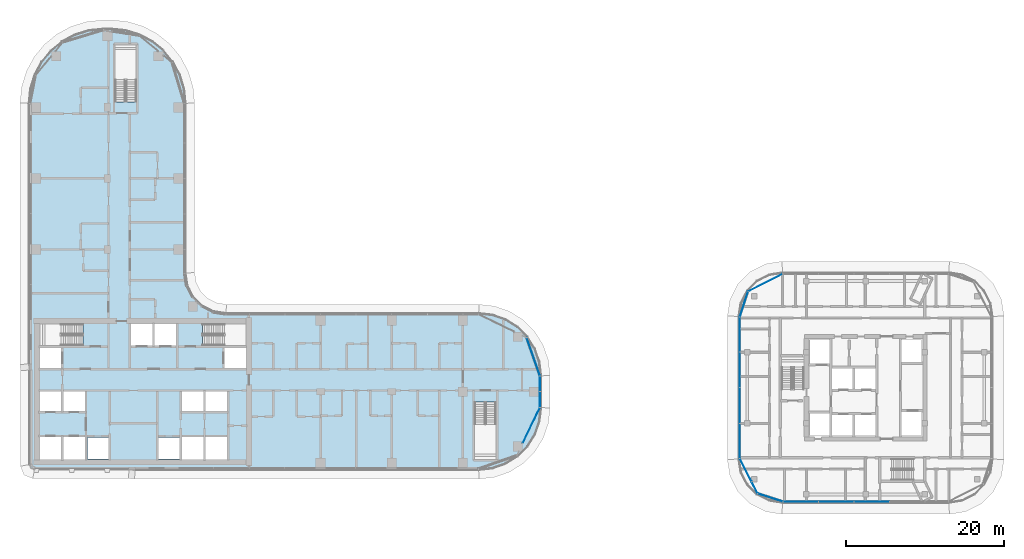
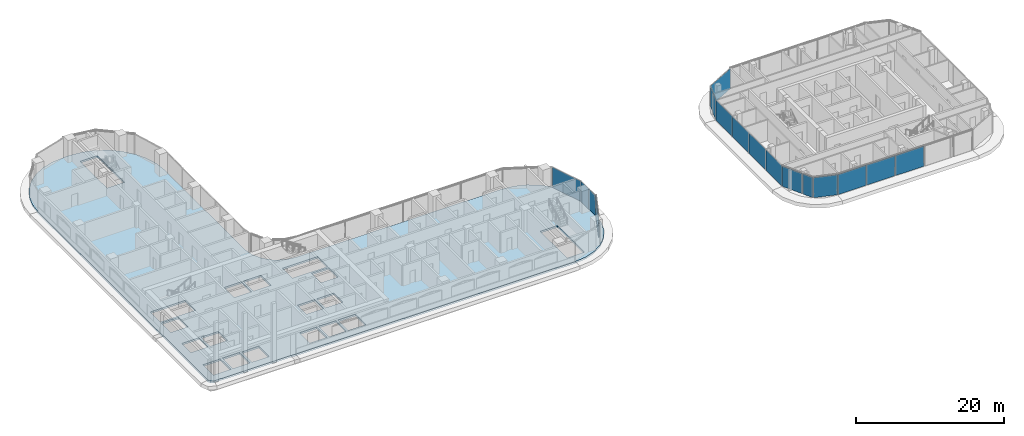
# One storey, part 18 of 40: 16 plates, 1 slab, 8 elements without a shape of their own.
"""IFC4 building model written with IfcOpenShell, lengths in metres."""

import ifcopenshell
import ifcopenshell.guid

model = None  # the IFC model being written
_history = None  # IfcOwnerHistory: only IFC2X3 demands one
_inside = {}  # id of a spatial element -> (the spatial element, [elements in it])
_under = {}  # id of a project, library or spatial element -> (it, [spatial elements below it])
_declared = {}  # id of a project -> (the project, [libraries it declares])
_typed = {}  # id of a type object -> (the type object, [elements of that type])
_made_of = {}  # id of a material, layer set ... -> (it, [elements and type objects made of it])


def new_model(schema):
    """Start an empty IFC model of exactly this schema.

    Asked for "IFC4X3", IfcOpenShell would pick the latest addendum, in which some entities
    have other attributes; the version numbers below select the first issue.
    IFC2X3 requires an IfcOwnerHistory on every rooted entity: one is made here for all.
    """
    global model, _history
    if schema == "IFC4X3":
        model = ifcopenshell.file(schema_version=(4, 3, 0, 0))
    else:
        model = ifcopenshell.file(schema=schema)
    _inside.clear()
    _under.clear()
    _declared.clear()
    _typed.clear()
    _made_of.clear()
    _history = None
    if model.schema == "IFC2X3":
        org = make("IfcOrganization", Name="unknown")
        user = make(
            "IfcPersonAndOrganization",
            ThePerson=make("IfcPerson", FamilyName="unknown"),
            TheOrganization=org,
        )
        app = make(
            "IfcApplication",
            ApplicationDeveloper=org,
            Version="unknown",
            ApplicationFullName="unknown",
            ApplicationIdentifier="unknown",
        )
        _history = make(
            "IfcOwnerHistory",
            OwningUser=user,
            OwningApplication=app,
            ChangeAction="ADDED",
            CreationDate=0,
        )
    return model


def make(cls, **values):
    """One entity of the class cls with the attributes given. An attribute that is None is left unset."""
    return model.create_entity(
        cls, **{name: value for name, value in values.items() if value is not None}
    )


def rooted(cls, **values):
    """An entity with a GlobalId (a new one), such as an element, a storey or a relation."""
    return make(cls, GlobalId=ifcopenshell.guid.new(), OwnerHistory=_history, **values)


def si_unit(unit_type, name, prefix=None):
    """IfcSIUnit, for example si_unit("LENGTHUNIT", "METRE", prefix="MILLI")."""
    return make("IfcSIUnit", UnitType=unit_type, Prefix=prefix, Name=name)


def assignment(units):
    """IfcUnitAssignment: the units of a project."""
    return None if units is None else make("IfcUnitAssignment", Units=units)


def point(xyz):
    """IfcCartesianPoint."""
    return None if xyz is None else make("IfcCartesianPoint", Coordinates=xyz)


def direction(xyz):
    """IfcDirection."""
    return None if xyz is None else make("IfcDirection", DirectionRatios=xyz)


def frame(location, z_axis=None, x_axis=None):
    """IfcAxis2Placement3D, a coordinate frame: its origin and axes. An axis left out is left unset."""
    return make(
        "IfcAxis2Placement3D",
        Location=point(location),
        Axis=direction(z_axis),
        RefDirection=direction(x_axis),
    )


def frame_2d(location, x_axis=None):
    """IfcAxis2Placement2D, a coordinate frame in the plane: its origin and x axis."""
    return make(
        "IfcAxis2Placement2D", Location=point(location), RefDirection=direction(x_axis)
    )


def origin():
    """The frame at (0, 0, 0) with its axes left unset."""
    return frame((0.0, 0.0, 0.0))


def origin_2d():
    """The frame at (0, 0) in the plane with its x axis left unset."""
    return frame_2d((0.0, 0.0))


def place(relative_to, where):
    """IfcLocalPlacement: puts the frame where relative to a parent placement (None: the world)."""
    return make(
        "IfcLocalPlacement", PlacementRelTo=relative_to, RelativePlacement=where
    )


def context(
    kind, dimensions, precision=None, world=None, true_north=None, identifier=None
):
    """IfcGeometricRepresentationContext, for example the 3D "Model" context."""
    return make(
        "IfcGeometricRepresentationContext",
        ContextIdentifier=identifier,
        ContextType=kind,
        CoordinateSpaceDimension=dimensions,
        Precision=precision,
        WorldCoordinateSystem=world,
        TrueNorth=true_north,
    )


def subcontext(parent, identifier, kind, view, scale=None):
    """IfcGeometricRepresentationSubContext, for example "Body" below "Model"."""
    return make(
        "IfcGeometricRepresentationSubContext",
        ContextIdentifier=identifier,
        ContextType=kind,
        ParentContext=parent,
        TargetScale=scale,
        TargetView=view,
    )


def project(units=None, contexts=None):
    """IfcProject with its units and contexts."""
    return rooted(
        "IfcProject",
        Name="project",
        RepresentationContexts=contexts,
        UnitsInContext=assignment(units),
    )


def spatial(cls, under=None, at=None, **own):
    """A site, building, storey or space (cls), placed at a placement, below another one or the project."""
    s = rooted(cls, ObjectPlacement=at, **own)
    if under is not None:
        _under.setdefault(under.id(), (under, []))[1].append(s)
    return s


def polyline(points):
    """IfcPolyline through the points."""
    return make("IfcPolyline", Points=[point(p) for p in points])


def profile(cls, at=None, kind="AREA", **sizes):
    """A parametric profile (cls). Its sizes go by their IFC names, for example OverallWidth=200.0."""
    return make(cls, ProfileType=kind, Position=at, **sizes)


def rectangle(**sizes):
    """IfcRectangleProfileDef."""
    return profile("IfcRectangleProfileDef", **sizes)


def outline(outer, holes=None, kind="AREA"):
    """IfcArbitraryClosedProfileDef: a profile drawn as a closed curve; with holes, ...WithVoids."""
    if holes is None:
        return make("IfcArbitraryClosedProfileDef", ProfileType=kind, OuterCurve=outer)
    return make(
        "IfcArbitraryProfileDefWithVoids",
        ProfileType=kind,
        OuterCurve=outer,
        InnerCurves=holes,
    )


def extrude(swept, where, along, depth):
    """IfcExtrudedAreaSolid: the profile swept, set in the frame where, extruded along a direction by depth."""
    return make(
        "IfcExtrudedAreaSolid",
        SweptArea=swept,
        Position=where,
        ExtrudedDirection=direction(along),
        Depth=depth,
    )


def shape(context_of_items, identifier, shape_type, items):
    """IfcShapeRepresentation: the items that make up one representation, for example the "Body"."""
    return make(
        "IfcShapeRepresentation",
        ContextOfItems=context_of_items,
        RepresentationIdentifier=identifier,
        RepresentationType=shape_type,
        Items=items,
    )


def material(Name=None, Category=None):
    """IfcMaterial."""
    return make("IfcMaterial", Name=Name, Category=Category)


def layer(
    of_material, thickness, ventilated=None, Name=None, Category=None, Priority=None
):
    """IfcMaterialLayer: one layer of a wall or slab, of a material (None: an air gap)."""
    return make(
        "IfcMaterialLayer",
        Material=of_material,
        LayerThickness=thickness,
        IsVentilated=ventilated,
        Name=Name,
        Category=Category,
        Priority=Priority,
    )


def layer_set(layers, Name=None):
    """IfcMaterialLayerSet."""
    return make("IfcMaterialLayerSet", MaterialLayers=layers, LayerSetName=Name)


def made_of(thing, what):
    """Note that an element or type object is made of a material, layer set ...; save() writes the relation."""
    if what is not None:
        _made_of.setdefault(what.id(), (what, []))[1].append(thing)
    return thing


def type_object(cls, material=None, **own):
    """A type object (cls), such as IfcWallType, which elements share."""
    return made_of(rooted(cls, **own), material)


def element(
    cls,
    number,
    at=None,
    inside=None,
    cuts=None,
    type_object=None,
    material=None,
    context=None,
    identifier="Body",
    shape_type=None,
    held_by="IfcProductDefinitionShape",
    body=None,
    shapes=None,
    **own,
):
    """One element of the class cls, such as IfcWall. Its Tag is "e" and its number.

    at: its placement. inside: the storey or other place that contains it. cuts: it is an
    opening in that element (IfcRelVoidsElement). A single representation is given by context,
    identifier, shape_type and body (its items); several are given by shapes. held_by: the class
    of the entity that holds the representations. save() writes the other relations.
    """
    e = rooted(cls, Tag="e%d" % number, ObjectPlacement=at, **own)
    if body is not None:
        shapes = [shape(context, identifier, shape_type, body)]
    if shapes is not None:
        e.Representation = make(held_by, Representations=shapes)
    if inside is not None:
        _inside.setdefault(inside.id(), (inside, []))[1].append(e)
    if cuts is not None:
        rooted(
            "IfcRelVoidsElement", RelatingBuildingElement=cuts, RelatedOpeningElement=e
        )
    if type_object is not None:
        _typed.setdefault(type_object.id(), (type_object, []))[1].append(e)
    return made_of(e, material)


def aggregate(whole, parts):
    """IfcRelAggregates: a whole, such as a stair, and the parts it consists of."""
    return rooted("IfcRelAggregates", RelatingObject=whole, RelatedObjects=parts)


def save(model, path):
    """Write the relations noted so far, then the file.

    IfcRelAggregates (storeys below a building ...), IfcRelContainedInSpatialStructure (elements
    in a storey), IfcRelDefinesByType, IfcRelAssociatesMaterial and IfcRelDeclares: one each for
    every whole, place, type object, material and project.
    """
    for whole, parts in _under.values():
        aggregate(whole, parts)
    for where, things in _inside.values():
        rooted(
            "IfcRelContainedInSpatialStructure",
            RelatedElements=things,
            RelatingStructure=where,
        )
    for kind, things in _typed.values():
        rooted("IfcRelDefinesByType", RelatedObjects=things, RelatingType=kind)
    for what, things in _made_of.values():
        rooted("IfcRelAssociatesMaterial", RelatedObjects=things, RelatingMaterial=what)
    for by, libraries in _declared.values():
        rooted("IfcRelDeclares", RelatingContext=by, RelatedDefinitions=libraries)
    model.write(path)


model = new_model("IFC4")

# Units and contexts
model_context = context("Model", 3, precision=1e-05, world=origin(), true_north=direction((0.0, 1.0)))
body_context = subcontext(model_context, "Body", "Model", "MODEL_VIEW")
ifc_project = project(units=[si_unit("LENGTHUNIT", "METRE"), si_unit("AREAUNIT", "SQUARE_METRE"), si_unit("VOLUMEUNIT", "CUBIC_METRE"), si_unit("PLANEANGLEUNIT", "RADIAN"), si_unit("MASSUNIT", "GRAM", prefix="KILO")], contexts=[model_context])

# Site, building, storey
site_placement = place(None, origin())
site = spatial("IfcSite", under=ifc_project, at=site_placement, CompositionType="ELEMENT")
building_placement = place(site_placement, origin())
building = spatial("IfcBuilding", under=site, at=building_placement, Name="Ogive Portal Towers", CompositionType="ELEMENT")
storey_placement = place(building_placement, frame((0.0, 0.0, 87.10009765625)))
storey = spatial("IfcBuildingStorey", under=building, at=storey_placement, Name="L20", CompositionType="ELEMENT", Elevation=87.10009765625)

# Curtain wall, plates
ifc_material_1 = material(Name="Glass, clear low-iron insulated glazing", Category="glass")
curtain_wall_type_1 = type_object("IfcCurtainWallType", Name="CW FRONT RIBBON 4500", PredefinedType="NOTDEFINED", material=ifc_material_1)
curtain_wall_1_placement = place(storey_placement, origin())
curtain_wall_1 = element("IfcCurtainWall", 1, at=curtain_wall_1_placement, inside=storey, type_object=curtain_wall_type_1, Name="A:L20:f08:cw0", PredefinedType="NOTDEFINED")
ifc_layer_1 = layer(ifc_material_1, 0.028076171875)
ifc_layer_set_1 = layer_set([ifc_layer_1], Name="CW PANEL IGU 28")
plate_type = type_object("IfcPlateType", Name="CW PANEL IGU 28", PredefinedType="CURTAIN_PANEL", material=ifc_layer_set_1)
plate_1_placement = place(storey_placement, frame((95.27490234375, 29.509033203125, 0.0), z_axis=(0.0, 0.0, 1.0), x_axis=(0.0, 1.0, 0.0)))
plate_1 = element("IfcPlate", 2, at=plate_1_placement, type_object=plate_type, Name="panel", PredefinedType="CURTAIN_PANEL", context=body_context, shape_type="SweptSolid", body=[
    extrude(rectangle(XDim=1.921630859375, YDim=0.028076171875, at=origin_2d()), origin(), (0.0, 0.0, 1.0), 3.340087890625),
])
plate_2_placement = place(storey_placement, frame((95.27490234375, 31.4931640625, 0.0), z_axis=(0.0, 0.0, 1.0), x_axis=(0.0, 1.0, 0.0)))
plate_2 = element("IfcPlate", 3, at=plate_2_placement, type_object=plate_type, Name="panel", PredefinedType="CURTAIN_PANEL", context=body_context, shape_type="SweptSolid", body=[
    extrude(rectangle(XDim=1.926513671875, YDim=0.028076171875, at=origin_2d()), origin(), (0.0, 0.0, 1.0), 3.340087890625),
])
aggregate(curtain_wall_1, [plate_1, plate_2])

# Curtain wall, plate
curtain_wall_2_placement = place(storey_placement, origin())
curtain_wall_2 = element("IfcCurtainWall", 4, at=curtain_wall_2_placement, inside=storey, type_object=curtain_wall_type_1, Name="A:L20:f06:cwa~1", PredefinedType="NOTDEFINED")
plate_3_placement = place(storey_placement, frame((94.175048828125, 26.234130859375, 0.0), z_axis=(0.0, 0.0, 1.0), x_axis=(0.433883739113, 0.900968867905, 0.0)))
plate_3 = element("IfcPlate", 5, at=plate_3_placement, type_object=plate_type, Name="panel", PredefinedType="CURTAIN_PANEL", context=body_context, shape_type="SweptSolid", body=[
    extrude(rectangle(XDim=5.010498046875, YDim=0.028076171875, at=origin_2d()), origin(), (0.0, 0.0, 1.0), 3.340087890625),
])
aggregate(curtain_wall_2, [plate_3])

curtain_wall_3_placement = place(storey_placement, origin())
curtain_wall_3 = element("IfcCurtainWall", 6, at=curtain_wall_3_placement, inside=storey, type_object=curtain_wall_type_1, Name="A:L20:f09:cwa~0", PredefinedType="NOTDEFINED")
plate_4_placement = place(storey_placement, frame((94.42578125, 34.9130859375, 0.0), z_axis=(0.0, 0.0, 1.0), x_axis=(-0.33027906196, 0.943883330307, 0.0)))
plate_4 = element("IfcPlate", 7, at=plate_4_placement, type_object=plate_type, Name="panel", PredefinedType="CURTAIN_PANEL", context=body_context, shape_type="SweptSolid", body=[
    extrude(rectangle(XDim=5.08203125, YDim=0.028076171875, at=origin_2d()), origin(), (0.0, 0.0, 1.0), 3.340087890625),
])
aggregate(curtain_wall_3, [plate_4])

# Curtain wall, plates
curtain_wall_type_2 = type_object("IfcCurtainWallType", Name="CW RESIDENCES RIBBON", PredefinedType="NOTDEFINED", material=ifc_material_1)
curtain_wall_4_placement = place(storey_placement, origin())
curtain_wall_4 = element("IfcCurtainWall", 8, at=curtain_wall_4_placement, inside=storey, type_object=curtain_wall_type_2, Name="B:L20:f02:cw0", PredefinedType="NOTDEFINED")
plate_5_placement = place(storey_placement, frame((128.25634765625, 16.570068359375, 0.0), z_axis=(0.0, 0.0, 1.0), x_axis=(1.0, 0.0, 0.0)))
plate_5 = element("IfcPlate", 9, at=plate_5_placement, type_object=plate_type, Name="panel", PredefinedType="CURTAIN_PANEL", context=body_context, shape_type="SweptSolid", body=[
    extrude(rectangle(XDim=4.42724609375, YDim=0.028076171875, at=origin_2d()), origin(), (0.0, 0.0, 1.0), 3.340087890625),
])
plate_6_placement = place(storey_placement, frame((132.75, 16.570068359375, 0.0), z_axis=(0.0, 0.0, 1.0), x_axis=(1.0, 0.0, 0.0)))
plate_6 = element("IfcPlate", 10, at=plate_6_placement, type_object=plate_type, Name="panel", PredefinedType="CURTAIN_PANEL", context=body_context, shape_type="SweptSolid", body=[
    extrude(rectangle(XDim=4.43994140625, YDim=0.028076171875, at=origin_2d()), origin(), (0.0, 0.0, 1.0), 3.340087890625),
])
plate_7_placement = place(storey_placement, frame((137.25, 16.570068359375, 0.0), z_axis=(0.0, 0.0, 1.0), x_axis=(1.0, 0.0, 0.0)))
plate_7 = element("IfcPlate", 11, at=plate_7_placement, type_object=plate_type, Name="panel", PredefinedType="CURTAIN_PANEL", context=body_context, shape_type="SweptSolid", body=[
    extrude(rectangle(XDim=4.43994140625, YDim=0.028076171875, at=origin_2d()), origin(), (0.0, 0.0, 1.0), 3.340087890625),
])
aggregate(curtain_wall_4, [plate_5, plate_6, plate_7])

curtain_wall_5_placement = place(storey_placement, origin())
curtain_wall_5 = element("IfcCurtainWall", 12, at=curtain_wall_5_placement, inside=storey, type_object=curtain_wall_type_2, Name="B:L20:f11:cw0", PredefinedType="NOTDEFINED")
plate_8_placement = place(storey_placement, frame((120.570068359375, 37.74365234375, 0.0), z_axis=(0.0, 0.0, 1.0), x_axis=(0.0, -1.0, 0.0)))
plate_8 = element("IfcPlate", 13, at=plate_8_placement, type_object=plate_type, Name="panel", PredefinedType="CURTAIN_PANEL", context=body_context, shape_type="SweptSolid", body=[
    extrude(rectangle(XDim=4.42724609375, YDim=0.028076171875, at=origin_2d()), origin(), (0.0, 0.0, 1.0), 3.340087890625),
])
plate_9_placement = place(storey_placement, frame((120.570068359375, 33.25, 0.0), z_axis=(0.0, 0.0, 1.0), x_axis=(0.0, -1.0, 0.0)))
plate_9 = element("IfcPlate", 14, at=plate_9_placement, type_object=plate_type, Name="panel", PredefinedType="CURTAIN_PANEL", context=body_context, shape_type="SweptSolid", body=[
    extrude(rectangle(XDim=4.43994140625, YDim=0.028076171875, at=origin_2d()), origin(), (0.0, 0.0, 1.0), 3.340087890625),
])
plate_10_placement = place(storey_placement, frame((120.570068359375, 28.75, 0.0), z_axis=(0.0, 0.0, 1.0), x_axis=(0.0, -1.0, 0.0)))
plate_10 = element("IfcPlate", 15, at=plate_10_placement, type_object=plate_type, Name="panel", PredefinedType="CURTAIN_PANEL", context=body_context, shape_type="SweptSolid", body=[
    extrude(rectangle(XDim=4.43994140625, YDim=0.028076171875, at=origin_2d()), origin(), (0.0, 0.0, 1.0), 3.340087890625),
])
plate_11_placement = place(storey_placement, frame((120.570068359375, 24.259521484375, 0.0), z_axis=(0.0, 0.0, 1.0), x_axis=(0.0, -1.0, 0.0)))
plate_11 = element("IfcPlate", 16, at=plate_11_placement, type_object=plate_type, Name="panel", PredefinedType="CURTAIN_PANEL", context=body_context, shape_type="SweptSolid", body=[
    extrude(rectangle(XDim=4.4208984375, YDim=0.028076171875, at=origin_2d()), origin(), (0.0, 0.0, 1.0), 3.340087890625),
])
aggregate(curtain_wall_5, [plate_8, plate_9, plate_10, plate_11])

# Curtain wall, plate
curtain_wall_6_placement = place(storey_placement, origin())
curtain_wall_6 = element("IfcCurtainWall", 17, at=curtain_wall_6_placement, inside=storey, type_object=curtain_wall_type_2, Name="B:L20:f00:cwa~0", PredefinedType="NOTDEFINED")
plate_12_placement = place(storey_placement, frame((121.310546875, 20.56591796875, 0.0), z_axis=(0.0, 0.0, 1.0), x_axis=(0.45399049974, -0.891006524188, 0.0)))
plate_12 = element("IfcPlate", 18, at=plate_12_placement, type_object=plate_type, Name="panel", PredefinedType="CURTAIN_PANEL", context=body_context, shape_type="SweptSolid", body=[
    extrude(rectangle(XDim=3.2021484375, YDim=0.028076171875, at=origin_2d()), origin(), (0.0, 0.0, 1.0), 3.340087890625),
])
aggregate(curtain_wall_6, [plate_12])

# Curtain wall, plates
curtain_wall_7_placement = place(storey_placement, origin())
curtain_wall_7 = element("IfcCurtainWall", 19, at=curtain_wall_7_placement, inside=storey, type_object=curtain_wall_type_2, Name="B:L20:f00:cwa~1", PredefinedType="NOTDEFINED")
plate_13_placement = place(storey_placement, frame((122.439453125, 18.35009765625, 0.0), z_axis=(0.0, 0.0, 1.0), x_axis=(0.45399049974, -0.891006524188, 0.0)))
plate_13 = element("IfcPlate", 20, at=plate_13_placement, type_object=plate_type, Name="panel", PredefinedType="CURTAIN_PANEL", context=body_context, shape_type="SweptSolid", body=[
    extrude(rectangle(XDim=1.60546875, YDim=0.028076171875, at=origin_2d()), origin(), (0.0, 0.0, 1.0), 3.340087890625),
])
plate_14_placement = place(storey_placement, frame((124.4150390625, 17.089111328125, 0.0), z_axis=(0.0, 0.0, 1.0), x_axis=(0.951056516295, -0.309016994375, 0.0)))
plate_14 = element("IfcPlate", 21, at=plate_14_placement, type_object=plate_type, Name="panel", PredefinedType="CURTAIN_PANEL", context=body_context, shape_type="SweptSolid", body=[
    extrude(rectangle(XDim=3.299560546875, YDim=0.028076171875, at=origin_2d()), origin(), (0.0, 0.0, 1.0), 3.340087890625),
])
aggregate(curtain_wall_7, [plate_13, plate_14])

curtain_wall_8_placement = place(storey_placement, origin())
curtain_wall_8 = element("IfcCurtainWall", 22, at=curtain_wall_8_placement, inside=storey, type_object=curtain_wall_type_2, Name="B:L20:f09:cwa", PredefinedType="NOTDEFINED")
plate_15_placement = place(storey_placement, frame((123.813720703125, 44.30615234375, 0.0), z_axis=(0.0, 0.0, 1.0), x_axis=(-0.891006524188, -0.45399049974, 0.0)))
plate_15 = element("IfcPlate", 23, at=plate_15_placement, type_object=plate_type, Name="panel", PredefinedType="CURTAIN_PANEL", context=body_context, shape_type="SweptSolid", body=[
    extrude(rectangle(XDim=4.890625, YDim=0.028076171875, at=origin_2d()), origin(), (0.0, 0.0, 1.0), 3.340087890625),
])
plate_16_placement = place(storey_placement, frame((121.089111328125, 41.5849609375, 0.0), z_axis=(0.0, 0.0, 1.0), x_axis=(-0.309016994375, -0.951056516295, 0.0)))
plate_16 = element("IfcPlate", 24, at=plate_16_placement, type_object=plate_type, Name="panel", PredefinedType="CURTAIN_PANEL", context=body_context, shape_type="SweptSolid", body=[
    extrude(rectangle(XDim=3.299560546875, YDim=0.028076171875, at=origin_2d()), origin(), (0.0, 0.0, 1.0), 3.340087890625),
])
aggregate(curtain_wall_8, [plate_15, plate_16])

# Slab
ifc_material_2 = material(Name="Concrete C45/55", Category="concrete")
ifc_layer_2 = layer(ifc_material_2, 0.300048828125)
ifc_layer_set_2 = layer_set([ifc_layer_2], Name="PT FLAT PLATE 300")
slab_type = type_object("IfcSlabType", Name="PT FLAT PLATE 300", PredefinedType="FLOOR", material=ifc_layer_set_2)
slab_placement = place(storey_placement, frame((0.0, 0.0, -0.300048828125)))
element("IfcSlab", 25, at=slab_placement, inside=storey, type_object=slab_type, Name="Floor slab L20", PredefinedType="FLOOR", context=body_context, shape_type="SweptSolid", body=[
    extrude(outline(polyline([(30.64501953125, 67.0), (30.64501953125, 34.0), (30.699951171875, 33.23095703125), (30.699951171875, 21.300048828125), (30.875732421875, 20.875732421875), (31.300048828125, 20.699951171875), (43.23095703125, 20.699951171875), (44.0, 20.64501953125), (87.5, 20.64501953125), (89.247802734375, 20.841796875), (90.908203125, 21.4228515625), (92.3974609375, 22.358642578125), (93.641357421875, 23.6025390625), (94.5771484375, 25.091796875), (95.158203125, 26.752197265625), (95.35498046875, 28.5), (95.35498046875, 32.5), (95.158203125, 34.247802734375), (94.5771484375, 35.908203125), (93.641357421875, 37.3974609375), (92.3974609375, 38.641357421875), (90.908203125, 39.5771484375), (89.247802734375, 40.158203125), (87.5, 40.35498046875), (55.5, 40.35498046875), (53.91015625, 40.606689453125), (52.475830078125, 41.337646484375), (51.337646484375, 42.475830078125), (50.606689453125, 43.91015625), (50.35498046875, 45.5), (50.35498046875, 67.0), (50.17529296875, 68.8251953125), (49.642822265625, 70.580078125), (48.7783203125, 72.197509765625), (47.614990234375, 73.614990234375), (46.197509765625, 74.7783203125), (44.580078125, 75.642822265625), (42.8251953125, 76.17529296875), (41.0, 76.35498046875), (40.0, 76.35498046875), (38.1748046875, 76.17529296875), (36.419921875, 75.642822265625), (34.802490234375, 74.7783203125), (33.385009765625, 73.614990234375), (32.2216796875, 72.197509765625), (31.357177734375, 70.580078125), (30.82470703125, 68.8251953125), (30.64501953125, 67.0)]), holes=[polyline([(34.64990234375, 24.75), (34.64990234375, 21.949951171875), (31.949951171875, 21.949951171875), (31.949951171875, 24.75), (34.64990234375, 24.75)]), polyline([(37.64990234375, 24.75), (37.64990234375, 21.949951171875), (34.949951171875, 21.949951171875), (34.949951171875, 24.75), (37.64990234375, 24.75)]), polyline([(40.6298828125, 21.969970703125), (37.969970703125, 21.969970703125), (37.969970703125, 24.72998046875), (40.6298828125, 24.72998046875), (40.6298828125, 21.969970703125)]), polyline([(34.64990234375, 28.050048828125), (31.949951171875, 28.050048828125), (31.949951171875, 30.5), (34.64990234375, 30.5), (34.64990234375, 28.050048828125)]), polyline([(37.64990234375, 28.050048828125), (34.949951171875, 28.050048828125), (34.949951171875, 30.5), (37.64990234375, 30.5), (37.64990234375, 28.050048828125)]), polyline([(34.64990234375, 36.050048828125), (34.64990234375, 33.5), (31.949951171875, 33.5), (31.949951171875, 36.050048828125), (34.64990234375, 36.050048828125)]), polyline([(31.951904296875, 39.048095703125), (37.447998046875, 39.048095703125), (37.447998046875, 36.35205078125), (31.951904296875, 36.35205078125), (31.951904296875, 39.048095703125)]), polyline([(46.199951171875, 39.050048828125), (46.199951171875, 36.35009765625), (43.5, 36.35009765625), (43.5, 39.050048828125), (46.199951171875, 39.050048828125)]), polyline([(49.199951171875, 36.35009765625), (46.5, 36.35009765625), (46.5, 39.050048828125), (49.199951171875, 39.050048828125), (49.199951171875, 36.35009765625)]), polyline([(44.197998046875, 67.201904296875), (41.501953125, 67.201904296875), (41.501953125, 74.447998046875), (44.197998046875, 74.447998046875), (44.197998046875, 67.201904296875)]), polyline([(49.6298828125, 21.969970703125), (46.969970703125, 21.969970703125), (46.969970703125, 24.72998046875), (49.6298828125, 24.72998046875), (49.6298828125, 21.969970703125)]), polyline([(52.64990234375, 24.75), (52.64990234375, 21.949951171875), (49.949951171875, 21.949951171875), (49.949951171875, 24.75), (52.64990234375, 24.75)]), polyline([(55.64990234375, 21.949951171875), (52.949951171875, 21.949951171875), (52.949951171875, 24.75), (55.64990234375, 24.75), (55.64990234375, 21.949951171875)]), polyline([(87.001953125, 29.16796875), (89.697998046875, 29.16796875), (89.697998046875, 21.951904296875), (87.001953125, 21.951904296875), (87.001953125, 29.16796875)]), polyline([(52.64990234375, 30.5), (52.64990234375, 28.050048828125), (49.949951171875, 28.050048828125), (49.949951171875, 30.5), (52.64990234375, 30.5)]), polyline([(55.64990234375, 30.5), (55.64990234375, 28.050048828125), (52.949951171875, 28.050048828125), (52.949951171875, 30.5), (55.64990234375, 30.5)]), polyline([(58.050048828125, 33.5), (55.35009765625, 33.5), (55.35009765625, 36.050048828125), (58.050048828125, 36.050048828125), (58.050048828125, 33.5)]), polyline([(52.552001953125, 36.35205078125), (52.552001953125, 39.048095703125), (58.048095703125, 39.048095703125), (58.048095703125, 36.35205078125), (52.552001953125, 36.35205078125)])]), origin(), (0.0, 0.0, 1.0), 0.300048828125),
])

save(model, "model.ifc")
